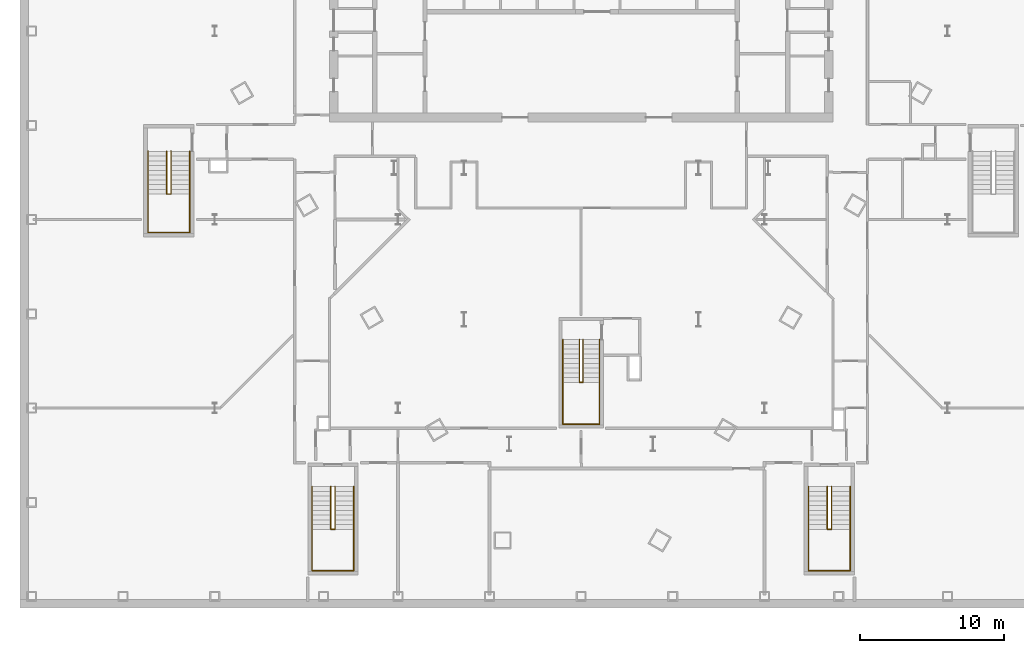
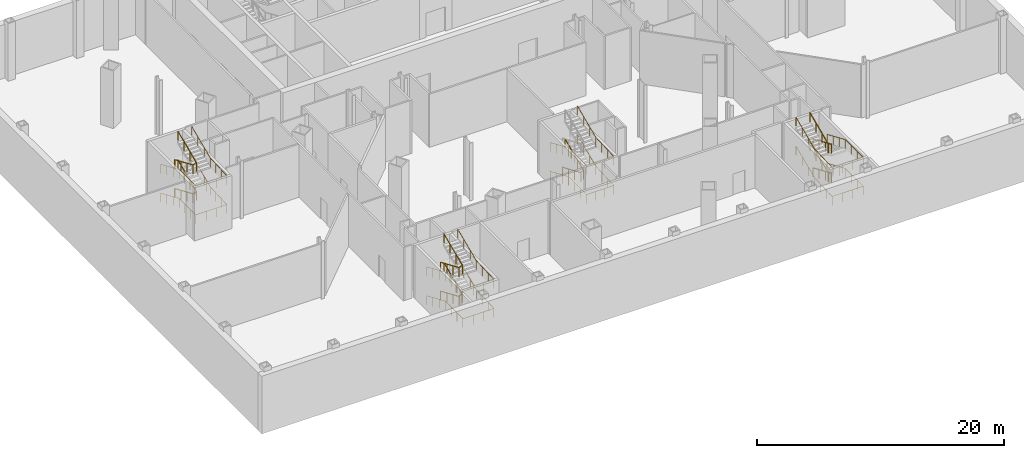
# One storey, part 16 of 17: 15 railings.
"""IFC4 building model written with IfcOpenShell, lengths in metres."""

from ifc_helpers import new_model, si_unit, direction, frame, origin, origin_2d, place, context, subcontext, project, spatial, circle, extrude, material, type_object, element, save


model = new_model("IFC4")

# Units and contexts
model_context = context("Model", 3, precision=1e-05, world=origin(), true_north=direction((0.0, 1.0)))
body_context = subcontext(model_context, "Body", "Model", "MODEL_VIEW")
ifc_project = project(units=[si_unit("LENGTHUNIT", "METRE"), si_unit("AREAUNIT", "SQUARE_METRE"), si_unit("VOLUMEUNIT", "CUBIC_METRE"), si_unit("PLANEANGLEUNIT", "RADIAN"), si_unit("MASSUNIT", "GRAM", prefix="KILO")], contexts=[model_context])

# Site, building, storey
site_placement = place(None, origin())
site = spatial("IfcSite", under=ifc_project, at=site_placement, CompositionType="ELEMENT")
building_placement = place(site_placement, origin())
building = spatial("IfcBuilding", under=site, at=building_placement, Name="Njiva Tower", CompositionType="ELEMENT")
storey_placement = place(building_placement, frame((0.0, 0.0, -11.4)))
storey = spatial("IfcBuildingStorey", under=building, at=storey_placement, Name="B2", CompositionType="ELEMENT", Elevation=-11.4)

# Railings
ifc_material = material(Name="Stainless steel", Category="steel")
railing_type = type_object("IfcRailingType", Name="RL1 Stair handrail 900", PredefinedType="HANDRAIL", material=ifc_material)
railing_1_placement = place(storey_placement, frame((-1.275, -15.135, 0.1425)))
element("IfcRailing", 1, at=railing_1_placement, inside=storey, type_object=railing_type, Name="Stair C handrail", PredefinedType="HANDRAIL", context=body_context, shape_type="SweptSolid", body=[
    extrude(circle(Radius=0.024, at=origin_2d()), frame((0.0, 0.0, 0.876), z_axis=(0.0, -0.918062353536, 0.3964360163), x_axis=(1.0, 0.0, 0.0)), (0.0, 0.0, 1.0), 3.2351),
    extrude(circle(Radius=0.024, at=origin_2d()), frame((0.0, -2.97, 2.1585), z_axis=(0.0, -1.0, 0.0), x_axis=(1.0, 0.0, 0.0)), (0.0, 0.0, 1.0), 2.92),
    extrude(circle(Radius=0.024, at=origin_2d()), frame((0.0, -5.89, 2.1585), z_axis=(1.0, 0.0, 0.0), x_axis=(0.0, 1.0, 0.0)), (0.0, 0.0, 1.0), 2.55),
    extrude(circle(Radius=0.024, at=origin_2d()), frame((2.55, -5.89, 2.1585), z_axis=(0.0, 0.998811335897, 0.048743361426), x_axis=(-1.0, 0.0, 0.0)), (0.0, 0.0, 1.0), 2.9235),
    extrude(circle(Radius=0.024, at=origin_2d()), frame((2.55, -2.97, 2.301), z_axis=(0.0, 0.918062353536, 0.3964360163), x_axis=(-1.0, 0.0, 0.0)), (0.0, 0.0, 1.0), 3.2351),
    extrude(circle(Radius=0.021, at=origin_2d()), origin(), (0.0, 0.0, 1.0), 0.852),
    extrude(circle(Radius=0.021, at=origin_2d()), frame((0.0, -0.99, 0.4275)), (0.0, 0.0, 1.0), 0.852),
    extrude(circle(Radius=0.021, at=origin_2d()), frame((0.0, -1.98, 0.855)), (0.0, 0.0, 1.0), 0.852),
    extrude(circle(Radius=0.021, at=origin_2d()), frame((0.0, -2.97, 1.2825)), (0.0, 0.0, 1.0), 0.852),
    extrude(circle(Radius=0.021, at=origin_2d()), frame((0.0, -3.9433, 1.2825)), (0.0, 0.0, 1.0), 0.852),
    extrude(circle(Radius=0.021, at=origin_2d()), frame((0.0, -4.9167, 1.2825)), (0.0, 0.0, 1.0), 0.852),
    extrude(circle(Radius=0.021, at=origin_2d()), frame((0.0, -5.89, 1.2825)), (0.0, 0.0, 1.0), 0.852),
    extrude(circle(Radius=0.021, at=origin_2d()), frame((0.85, -5.89, 1.2825)), (0.0, 0.0, 1.0), 0.852),
    extrude(circle(Radius=0.021, at=origin_2d()), frame((1.7, -5.89, 1.2825)), (0.0, 0.0, 1.0), 0.852),
    extrude(circle(Radius=0.021, at=origin_2d()), frame((2.55, -5.89, 1.2825)), (0.0, 0.0, 1.0), 0.852),
    extrude(circle(Radius=0.021, at=origin_2d()), frame((2.55, -4.9167, 1.33)), (0.0, 0.0, 1.0), 0.852),
    extrude(circle(Radius=0.021, at=origin_2d()), frame((2.55, -3.9433, 1.3775)), (0.0, 0.0, 1.0), 0.852),
    extrude(circle(Radius=0.021, at=origin_2d()), frame((2.55, -2.97, 1.425)), (0.0, 0.0, 1.0), 0.852),
    extrude(circle(Radius=0.021, at=origin_2d()), frame((2.55, -1.98, 1.8525)), (0.0, 0.0, 1.0), 0.852),
    extrude(circle(Radius=0.021, at=origin_2d()), frame((2.55, -0.99, 2.28)), (0.0, 0.0, 1.0), 0.852),
    extrude(circle(Radius=0.021, at=origin_2d()), frame((2.55, 0.0, 2.7075)), (0.0, 0.0, 1.0), 0.852),
])
railing_2_placement = place(storey_placement, frame((-0.125, -15.135, 0.1425)))
element("IfcRailing", 2, at=railing_2_placement, inside=storey, type_object=railing_type, Name="Stair C handrail", PredefinedType="HANDRAIL", context=body_context, shape_type="SweptSolid", body=[
    extrude(circle(Radius=0.024, at=origin_2d()), frame((0.0, 0.0, 0.876), z_axis=(0.0, -0.918062353536, 0.3964360163), x_axis=(1.0, 0.0, 0.0)), (0.0, 0.0, 1.0), 3.2351),
    extrude(circle(Radius=0.024, at=origin_2d()), frame((0.0, -2.97, 2.1585), z_axis=(0.868777270193, 0.0, 0.49520304401), x_axis=(0.0, 1.0, 0.0)), (0.0, 0.0, 1.0), 0.2878),
    extrude(circle(Radius=0.024, at=origin_2d()), frame((0.25, -2.97, 2.301), z_axis=(0.0, 0.918062353536, 0.3964360163), x_axis=(-1.0, 0.0, 0.0)), (0.0, 0.0, 1.0), 3.2351),
    extrude(circle(Radius=0.021, at=origin_2d()), origin(), (0.0, 0.0, 1.0), 0.852),
    extrude(circle(Radius=0.021, at=origin_2d()), frame((0.0, -0.99, 0.4275)), (0.0, 0.0, 1.0), 0.852),
    extrude(circle(Radius=0.021, at=origin_2d()), frame((0.0, -1.98, 0.855)), (0.0, 0.0, 1.0), 0.852),
    extrude(circle(Radius=0.021, at=origin_2d()), frame((0.0, -2.97, 1.2825)), (0.0, 0.0, 1.0), 0.852),
    extrude(circle(Radius=0.021, at=origin_2d()), frame((0.25, -2.97, 1.425)), (0.0, 0.0, 1.0), 0.852),
    extrude(circle(Radius=0.021, at=origin_2d()), frame((0.25, -1.98, 1.8525)), (0.0, 0.0, 1.0), 0.852),
    extrude(circle(Radius=0.021, at=origin_2d()), frame((0.25, -0.99, 2.28)), (0.0, 0.0, 1.0), 0.852),
    extrude(circle(Radius=0.021, at=origin_2d()), frame((0.25, 0.0, 2.7075)), (0.0, 0.0, 1.0), 0.852),
])
railing_3_placement = place(storey_placement, frame((-1.275, -15.135, 2.9925)))
element("IfcRailing", 3, at=railing_3_placement, inside=storey, type_object=railing_type, Name="Stair C handrail", PredefinedType="HANDRAIL", context=body_context, shape_type="SweptSolid", body=[
    extrude(circle(Radius=0.024, at=origin_2d()), frame((0.0, 0.0, 0.876), z_axis=(0.0, -0.918062353536, 0.3964360163), x_axis=(1.0, 0.0, 0.0)), (0.0, 0.0, 1.0), 3.2351),
    extrude(circle(Radius=0.024, at=origin_2d()), frame((0.0, -2.97, 2.1585), z_axis=(0.0, -1.0, 0.0), x_axis=(1.0, 0.0, 0.0)), (0.0, 0.0, 1.0), 2.92),
    extrude(circle(Radius=0.024, at=origin_2d()), frame((0.0, -5.89, 2.1585), z_axis=(1.0, 0.0, 0.0), x_axis=(0.0, 1.0, 0.0)), (0.0, 0.0, 1.0), 2.55),
    extrude(circle(Radius=0.024, at=origin_2d()), frame((2.55, -5.89, 2.1585), z_axis=(0.0, 0.998811335897, 0.048743361426), x_axis=(-1.0, 0.0, 0.0)), (0.0, 0.0, 1.0), 2.9235),
    extrude(circle(Radius=0.024, at=origin_2d()), frame((2.55, -2.97, 2.301), z_axis=(0.0, 0.918062353536, 0.3964360163), x_axis=(-1.0, 0.0, 0.0)), (0.0, 0.0, 1.0), 3.2351),
    extrude(circle(Radius=0.021, at=origin_2d()), origin(), (0.0, 0.0, 1.0), 0.852),
    extrude(circle(Radius=0.021, at=origin_2d()), frame((0.0, -0.99, 0.4275)), (0.0, 0.0, 1.0), 0.852),
    extrude(circle(Radius=0.021, at=origin_2d()), frame((0.0, -1.98, 0.855)), (0.0, 0.0, 1.0), 0.852),
    extrude(circle(Radius=0.021, at=origin_2d()), frame((0.0, -2.97, 1.2825)), (0.0, 0.0, 1.0), 0.852),
    extrude(circle(Radius=0.021, at=origin_2d()), frame((0.0, -3.9433, 1.2825)), (0.0, 0.0, 1.0), 0.852),
    extrude(circle(Radius=0.021, at=origin_2d()), frame((0.0, -4.9167, 1.2825)), (0.0, 0.0, 1.0), 0.852),
    extrude(circle(Radius=0.021, at=origin_2d()), frame((0.0, -5.89, 1.2825)), (0.0, 0.0, 1.0), 0.852),
    extrude(circle(Radius=0.021, at=origin_2d()), frame((0.85, -5.89, 1.2825)), (0.0, 0.0, 1.0), 0.852),
    extrude(circle(Radius=0.021, at=origin_2d()), frame((1.7, -5.89, 1.2825)), (0.0, 0.0, 1.0), 0.852),
    extrude(circle(Radius=0.021, at=origin_2d()), frame((2.55, -5.89, 1.2825)), (0.0, 0.0, 1.0), 0.852),
    extrude(circle(Radius=0.021, at=origin_2d()), frame((2.55, -4.9167, 1.33)), (0.0, 0.0, 1.0), 0.852),
    extrude(circle(Radius=0.021, at=origin_2d()), frame((2.55, -3.9433, 1.3775)), (0.0, 0.0, 1.0), 0.852),
    extrude(circle(Radius=0.021, at=origin_2d()), frame((2.55, -2.97, 1.425)), (0.0, 0.0, 1.0), 0.852),
    extrude(circle(Radius=0.021, at=origin_2d()), frame((2.55, -1.98, 1.8525)), (0.0, 0.0, 1.0), 0.852),
    extrude(circle(Radius=0.021, at=origin_2d()), frame((2.55, -0.99, 2.28)), (0.0, 0.0, 1.0), 0.852),
    extrude(circle(Radius=0.021, at=origin_2d()), frame((2.55, 0.0, 2.7075)), (0.0, 0.0, 1.0), 0.852),
])
railing_4_placement = place(storey_placement, frame((-18.7, -25.35, 0.1425)))
element("IfcRailing", 4, at=railing_4_placement, inside=storey, type_object=railing_type, Name="Stair D handrail", PredefinedType="HANDRAIL", context=body_context, shape_type="SweptSolid", body=[
    extrude(circle(Radius=0.024, at=origin_2d()), frame((0.0, 0.0, 0.876), z_axis=(0.0, -0.918062353536, 0.3964360163), x_axis=(1.0, 0.0, 0.0)), (0.0, 0.0, 1.0), 3.2351),
    extrude(circle(Radius=0.024, at=origin_2d()), frame((0.0, -2.97, 2.1585), z_axis=(0.0, -1.0, 0.0), x_axis=(1.0, 0.0, 0.0)), (0.0, 0.0, 1.0), 2.88),
    extrude(circle(Radius=0.024, at=origin_2d()), frame((0.0, -5.85, 2.1585), z_axis=(1.0, 0.0, 0.0), x_axis=(0.0, 1.0, 0.0)), (0.0, 0.0, 1.0), 2.9),
    extrude(circle(Radius=0.024, at=origin_2d()), frame((2.9, -5.85, 2.1585), z_axis=(0.0, 0.998778149066, 0.049418710501), x_axis=(-1.0, 0.0, 0.0)), (0.0, 0.0, 1.0), 2.8835),
    extrude(circle(Radius=0.024, at=origin_2d()), frame((2.9, -2.97, 2.301), z_axis=(0.0, 0.918062353536, 0.3964360163), x_axis=(-1.0, 0.0, 0.0)), (0.0, 0.0, 1.0), 3.2351),
    extrude(circle(Radius=0.021, at=origin_2d()), origin(), (0.0, 0.0, 1.0), 0.852),
    extrude(circle(Radius=0.021, at=origin_2d()), frame((0.0, -0.99, 0.4275)), (0.0, 0.0, 1.0), 0.852),
    extrude(circle(Radius=0.021, at=origin_2d()), frame((0.0, -1.98, 0.855)), (0.0, 0.0, 1.0), 0.852),
    extrude(circle(Radius=0.021, at=origin_2d()), frame((0.0, -2.97, 1.2825)), (0.0, 0.0, 1.0), 0.852),
    extrude(circle(Radius=0.021, at=origin_2d()), frame((0.0, -3.93, 1.2825)), (0.0, 0.0, 1.0), 0.852),
    extrude(circle(Radius=0.021, at=origin_2d()), frame((0.0, -4.89, 1.2825)), (0.0, 0.0, 1.0), 0.852),
    extrude(circle(Radius=0.021, at=origin_2d()), frame((0.0, -5.85, 1.2825)), (0.0, 0.0, 1.0), 0.852),
    extrude(circle(Radius=0.021, at=origin_2d()), frame((0.9667, -5.85, 1.2825)), (0.0, 0.0, 1.0), 0.852),
    extrude(circle(Radius=0.021, at=origin_2d()), frame((1.9333, -5.85, 1.2825)), (0.0, 0.0, 1.0), 0.852),
    extrude(circle(Radius=0.021, at=origin_2d()), frame((2.9, -5.85, 1.2825)), (0.0, 0.0, 1.0), 0.852),
    extrude(circle(Radius=0.021, at=origin_2d()), frame((2.9, -4.89, 1.33)), (0.0, 0.0, 1.0), 0.852),
    extrude(circle(Radius=0.021, at=origin_2d()), frame((2.9, -3.93, 1.3775)), (0.0, 0.0, 1.0), 0.852),
    extrude(circle(Radius=0.021, at=origin_2d()), frame((2.9, -2.97, 1.425)), (0.0, 0.0, 1.0), 0.852),
    extrude(circle(Radius=0.021, at=origin_2d()), frame((2.9, -1.98, 1.8525)), (0.0, 0.0, 1.0), 0.852),
    extrude(circle(Radius=0.021, at=origin_2d()), frame((2.9, -0.99, 2.28)), (0.0, 0.0, 1.0), 0.852),
    extrude(circle(Radius=0.021, at=origin_2d()), frame((2.9, 0.0, 2.7075)), (0.0, 0.0, 1.0), 0.852),
])
railing_5_placement = place(storey_placement, frame((-17.4, -25.35, 0.1425)))
element("IfcRailing", 5, at=railing_5_placement, inside=storey, type_object=railing_type, Name="Stair D handrail", PredefinedType="HANDRAIL", context=body_context, shape_type="SweptSolid", body=[
    extrude(circle(Radius=0.024, at=origin_2d()), frame((0.0, 0.0, 0.876), z_axis=(0.0, -0.918062353536, 0.3964360163), x_axis=(1.0, 0.0, 0.0)), (0.0, 0.0, 1.0), 3.2351),
    extrude(circle(Radius=0.024, at=origin_2d()), frame((0.0, -2.97, 2.1585), z_axis=(0.903277504354, 0.0, 0.429056814568), x_axis=(0.0, 1.0, 0.0)), (0.0, 0.0, 1.0), 0.3321),
    extrude(circle(Radius=0.024, at=origin_2d()), frame((0.3, -2.97, 2.301), z_axis=(0.0, 0.918062353536, 0.3964360163), x_axis=(-1.0, 0.0, 0.0)), (0.0, 0.0, 1.0), 3.2351),
    extrude(circle(Radius=0.021, at=origin_2d()), origin(), (0.0, 0.0, 1.0), 0.852),
    extrude(circle(Radius=0.021, at=origin_2d()), frame((0.0, -0.99, 0.4275)), (0.0, 0.0, 1.0), 0.852),
    extrude(circle(Radius=0.021, at=origin_2d()), frame((0.0, -1.98, 0.855)), (0.0, 0.0, 1.0), 0.852),
    extrude(circle(Radius=0.021, at=origin_2d()), frame((0.0, -2.97, 1.2825)), (0.0, 0.0, 1.0), 0.852),
    extrude(circle(Radius=0.021, at=origin_2d()), frame((0.3, -2.97, 1.425)), (0.0, 0.0, 1.0), 0.852),
    extrude(circle(Radius=0.021, at=origin_2d()), frame((0.3, -1.98, 1.8525)), (0.0, 0.0, 1.0), 0.852),
    extrude(circle(Radius=0.021, at=origin_2d()), frame((0.3, -0.99, 2.28)), (0.0, 0.0, 1.0), 0.852),
    extrude(circle(Radius=0.021, at=origin_2d()), frame((0.3, 0.0, 2.7075)), (0.0, 0.0, 1.0), 0.852),
])
railing_6_placement = place(storey_placement, frame((-18.7, -25.35, 2.9925)))
element("IfcRailing", 6, at=railing_6_placement, inside=storey, type_object=railing_type, Name="Stair D handrail", PredefinedType="HANDRAIL", context=body_context, shape_type="SweptSolid", body=[
    extrude(circle(Radius=0.024, at=origin_2d()), frame((0.0, 0.0, 0.876), z_axis=(0.0, -0.918062353536, 0.3964360163), x_axis=(1.0, 0.0, 0.0)), (0.0, 0.0, 1.0), 3.2351),
    extrude(circle(Radius=0.024, at=origin_2d()), frame((0.0, -2.97, 2.1585), z_axis=(0.0, -1.0, 0.0), x_axis=(1.0, 0.0, 0.0)), (0.0, 0.0, 1.0), 2.88),
    extrude(circle(Radius=0.024, at=origin_2d()), frame((0.0, -5.85, 2.1585), z_axis=(1.0, 0.0, 0.0), x_axis=(0.0, 1.0, 0.0)), (0.0, 0.0, 1.0), 2.9),
    extrude(circle(Radius=0.024, at=origin_2d()), frame((2.9, -5.85, 2.1585), z_axis=(0.0, 0.998778149066, 0.049418710501), x_axis=(-1.0, 0.0, 0.0)), (0.0, 0.0, 1.0), 2.8835),
    extrude(circle(Radius=0.024, at=origin_2d()), frame((2.9, -2.97, 2.301), z_axis=(0.0, 0.918062353536, 0.3964360163), x_axis=(-1.0, 0.0, 0.0)), (0.0, 0.0, 1.0), 3.2351),
    extrude(circle(Radius=0.021, at=origin_2d()), origin(), (0.0, 0.0, 1.0), 0.852),
    extrude(circle(Radius=0.021, at=origin_2d()), frame((0.0, -0.99, 0.4275)), (0.0, 0.0, 1.0), 0.852),
    extrude(circle(Radius=0.021, at=origin_2d()), frame((0.0, -1.98, 0.855)), (0.0, 0.0, 1.0), 0.852),
    extrude(circle(Radius=0.021, at=origin_2d()), frame((0.0, -2.97, 1.2825)), (0.0, 0.0, 1.0), 0.852),
    extrude(circle(Radius=0.021, at=origin_2d()), frame((0.0, -3.93, 1.2825)), (0.0, 0.0, 1.0), 0.852),
    extrude(circle(Radius=0.021, at=origin_2d()), frame((0.0, -4.89, 1.2825)), (0.0, 0.0, 1.0), 0.852),
    extrude(circle(Radius=0.021, at=origin_2d()), frame((0.0, -5.85, 1.2825)), (0.0, 0.0, 1.0), 0.852),
    extrude(circle(Radius=0.021, at=origin_2d()), frame((0.9667, -5.85, 1.2825)), (0.0, 0.0, 1.0), 0.852),
    extrude(circle(Radius=0.021, at=origin_2d()), frame((1.9333, -5.85, 1.2825)), (0.0, 0.0, 1.0), 0.852),
    extrude(circle(Radius=0.021, at=origin_2d()), frame((2.9, -5.85, 1.2825)), (0.0, 0.0, 1.0), 0.852),
    extrude(circle(Radius=0.021, at=origin_2d()), frame((2.9, -4.89, 1.33)), (0.0, 0.0, 1.0), 0.852),
    extrude(circle(Radius=0.021, at=origin_2d()), frame((2.9, -3.93, 1.3775)), (0.0, 0.0, 1.0), 0.852),
    extrude(circle(Radius=0.021, at=origin_2d()), frame((2.9, -2.97, 1.425)), (0.0, 0.0, 1.0), 0.852),
    extrude(circle(Radius=0.021, at=origin_2d()), frame((2.9, -1.98, 1.8525)), (0.0, 0.0, 1.0), 0.852),
    extrude(circle(Radius=0.021, at=origin_2d()), frame((2.9, -0.99, 2.28)), (0.0, 0.0, 1.0), 0.852),
    extrude(circle(Radius=0.021, at=origin_2d()), frame((2.9, 0.0, 2.7075)), (0.0, 0.0, 1.0), 0.852),
])
railing_7_placement = place(storey_placement, frame((-17.4, -25.35, 2.9925)))
element("IfcRailing", 7, at=railing_7_placement, inside=storey, type_object=railing_type, Name="Stair D handrail", PredefinedType="HANDRAIL", context=body_context, shape_type="SweptSolid", body=[
    extrude(circle(Radius=0.024, at=origin_2d()), frame((0.0, 0.0, 0.876), z_axis=(0.0, -0.918062353536, 0.3964360163), x_axis=(1.0, 0.0, 0.0)), (0.0, 0.0, 1.0), 3.2351),
    extrude(circle(Radius=0.024, at=origin_2d()), frame((0.0, -2.97, 2.1585), z_axis=(0.903277504354, 0.0, 0.429056814568), x_axis=(0.0, 1.0, 0.0)), (0.0, 0.0, 1.0), 0.3321),
    extrude(circle(Radius=0.024, at=origin_2d()), frame((0.3, -2.97, 2.301), z_axis=(0.0, 0.918062353536, 0.3964360163), x_axis=(-1.0, 0.0, 0.0)), (0.0, 0.0, 1.0), 3.2351),
    extrude(circle(Radius=0.021, at=origin_2d()), origin(), (0.0, 0.0, 1.0), 0.852),
    extrude(circle(Radius=0.021, at=origin_2d()), frame((0.0, -0.99, 0.4275)), (0.0, 0.0, 1.0), 0.852),
    extrude(circle(Radius=0.021, at=origin_2d()), frame((0.0, -1.98, 0.855)), (0.0, 0.0, 1.0), 0.852),
    extrude(circle(Radius=0.021, at=origin_2d()), frame((0.0, -2.97, 1.2825)), (0.0, 0.0, 1.0), 0.852),
    extrude(circle(Radius=0.021, at=origin_2d()), frame((0.3, -2.97, 1.425)), (0.0, 0.0, 1.0), 0.852),
    extrude(circle(Radius=0.021, at=origin_2d()), frame((0.3, -1.98, 1.8525)), (0.0, 0.0, 1.0), 0.852),
    extrude(circle(Radius=0.021, at=origin_2d()), frame((0.3, -0.99, 2.28)), (0.0, 0.0, 1.0), 0.852),
    extrude(circle(Radius=0.021, at=origin_2d()), frame((0.3, 0.0, 2.7075)), (0.0, 0.0, 1.0), 0.852),
])
railing_8_placement = place(storey_placement, frame((18.7, -25.35, 0.1425)))
element("IfcRailing", 8, at=railing_8_placement, inside=storey, type_object=railing_type, Name="Stair E handrail", PredefinedType="HANDRAIL", context=body_context, shape_type="SweptSolid", body=[
    extrude(circle(Radius=0.024, at=origin_2d()), frame((0.0, 0.0, 0.876), z_axis=(0.0, -0.918062353536, 0.3964360163), x_axis=(1.0, 0.0, 0.0)), (0.0, 0.0, 1.0), 3.2351),
    extrude(circle(Radius=0.024, at=origin_2d()), frame((0.0, -2.97, 2.1585), z_axis=(0.0, -1.0, 0.0), x_axis=(1.0, 0.0, 0.0)), (0.0, 0.0, 1.0), 2.88),
    extrude(circle(Radius=0.024, at=origin_2d()), frame((0.0, -5.85, 2.1585), z_axis=(-1.0, 0.0, 0.0), x_axis=(0.0, -1.0, 0.0)), (0.0, 0.0, 1.0), 2.9),
    extrude(circle(Radius=0.024, at=origin_2d()), frame((-2.9, -5.85, 2.1585), z_axis=(0.0, 0.998778149066, 0.049418710501), x_axis=(-1.0, 0.0, 0.0)), (0.0, 0.0, 1.0), 2.8835),
    extrude(circle(Radius=0.024, at=origin_2d()), frame((-2.9, -2.97, 2.301), z_axis=(0.0, 0.918062353536, 0.3964360163), x_axis=(-1.0, 0.0, 0.0)), (0.0, 0.0, 1.0), 3.2351),
    extrude(circle(Radius=0.021, at=origin_2d()), origin(), (0.0, 0.0, 1.0), 0.852),
    extrude(circle(Radius=0.021, at=origin_2d()), frame((0.0, -0.99, 0.4275)), (0.0, 0.0, 1.0), 0.852),
    extrude(circle(Radius=0.021, at=origin_2d()), frame((0.0, -1.98, 0.855)), (0.0, 0.0, 1.0), 0.852),
    extrude(circle(Radius=0.021, at=origin_2d()), frame((0.0, -2.97, 1.2825)), (0.0, 0.0, 1.0), 0.852),
    extrude(circle(Radius=0.021, at=origin_2d()), frame((0.0, -3.93, 1.2825)), (0.0, 0.0, 1.0), 0.852),
    extrude(circle(Radius=0.021, at=origin_2d()), frame((0.0, -4.89, 1.2825)), (0.0, 0.0, 1.0), 0.852),
    extrude(circle(Radius=0.021, at=origin_2d()), frame((0.0, -5.85, 1.2825)), (0.0, 0.0, 1.0), 0.852),
    extrude(circle(Radius=0.021, at=origin_2d()), frame((-0.9667, -5.85, 1.2825)), (0.0, 0.0, 1.0), 0.852),
    extrude(circle(Radius=0.021, at=origin_2d()), frame((-1.9333, -5.85, 1.2825)), (0.0, 0.0, 1.0), 0.852),
    extrude(circle(Radius=0.021, at=origin_2d()), frame((-2.9, -5.85, 1.2825)), (0.0, 0.0, 1.0), 0.852),
    extrude(circle(Radius=0.021, at=origin_2d()), frame((-2.9, -4.89, 1.33)), (0.0, 0.0, 1.0), 0.852),
    extrude(circle(Radius=0.021, at=origin_2d()), frame((-2.9, -3.93, 1.3775)), (0.0, 0.0, 1.0), 0.852),
    extrude(circle(Radius=0.021, at=origin_2d()), frame((-2.9, -2.97, 1.425)), (0.0, 0.0, 1.0), 0.852),
    extrude(circle(Radius=0.021, at=origin_2d()), frame((-2.9, -1.98, 1.8525)), (0.0, 0.0, 1.0), 0.852),
    extrude(circle(Radius=0.021, at=origin_2d()), frame((-2.9, -0.99, 2.28)), (0.0, 0.0, 1.0), 0.852),
    extrude(circle(Radius=0.021, at=origin_2d()), frame((-2.9, 0.0, 2.7075)), (0.0, 0.0, 1.0), 0.852),
])
railing_9_placement = place(storey_placement, frame((17.4, -25.35, 0.1425)))
element("IfcRailing", 9, at=railing_9_placement, inside=storey, type_object=railing_type, Name="Stair E handrail", PredefinedType="HANDRAIL", context=body_context, shape_type="SweptSolid", body=[
    extrude(circle(Radius=0.024, at=origin_2d()), frame((0.0, 0.0, 0.876), z_axis=(0.0, -0.918062353536, 0.3964360163), x_axis=(1.0, 0.0, 0.0)), (0.0, 0.0, 1.0), 3.2351),
    extrude(circle(Radius=0.024, at=origin_2d()), frame((0.0, -2.97, 2.1585), z_axis=(-0.903277504354, 0.0, 0.429056814568), x_axis=(0.0, -1.0, 0.0)), (0.0, 0.0, 1.0), 0.3321),
    extrude(circle(Radius=0.024, at=origin_2d()), frame((-0.3, -2.97, 2.301), z_axis=(0.0, 0.918062353536, 0.3964360163), x_axis=(-1.0, 0.0, 0.0)), (0.0, 0.0, 1.0), 3.2351),
    extrude(circle(Radius=0.021, at=origin_2d()), origin(), (0.0, 0.0, 1.0), 0.852),
    extrude(circle(Radius=0.021, at=origin_2d()), frame((0.0, -0.99, 0.4275)), (0.0, 0.0, 1.0), 0.852),
    extrude(circle(Radius=0.021, at=origin_2d()), frame((0.0, -1.98, 0.855)), (0.0, 0.0, 1.0), 0.852),
    extrude(circle(Radius=0.021, at=origin_2d()), frame((0.0, -2.97, 1.2825)), (0.0, 0.0, 1.0), 0.852),
    extrude(circle(Radius=0.021, at=origin_2d()), frame((-0.3, -2.97, 1.425)), (0.0, 0.0, 1.0), 0.852),
    extrude(circle(Radius=0.021, at=origin_2d()), frame((-0.3, -1.98, 1.8525)), (0.0, 0.0, 1.0), 0.852),
    extrude(circle(Radius=0.021, at=origin_2d()), frame((-0.3, -0.99, 2.28)), (0.0, 0.0, 1.0), 0.852),
    extrude(circle(Radius=0.021, at=origin_2d()), frame((-0.3, 0.0, 2.7075)), (0.0, 0.0, 1.0), 0.852),
])
railing_10_placement = place(storey_placement, frame((18.7, -25.35, 2.9925)))
element("IfcRailing", 10, at=railing_10_placement, inside=storey, type_object=railing_type, Name="Stair E handrail", PredefinedType="HANDRAIL", context=body_context, shape_type="SweptSolid", body=[
    extrude(circle(Radius=0.024, at=origin_2d()), frame((0.0, 0.0, 0.876), z_axis=(0.0, -0.918062353536, 0.3964360163), x_axis=(1.0, 0.0, 0.0)), (0.0, 0.0, 1.0), 3.2351),
    extrude(circle(Radius=0.024, at=origin_2d()), frame((0.0, -2.97, 2.1585), z_axis=(0.0, -1.0, 0.0), x_axis=(1.0, 0.0, 0.0)), (0.0, 0.0, 1.0), 2.88),
    extrude(circle(Radius=0.024, at=origin_2d()), frame((0.0, -5.85, 2.1585), z_axis=(-1.0, 0.0, 0.0), x_axis=(0.0, -1.0, 0.0)), (0.0, 0.0, 1.0), 2.9),
    extrude(circle(Radius=0.024, at=origin_2d()), frame((-2.9, -5.85, 2.1585), z_axis=(0.0, 0.998778149066, 0.049418710501), x_axis=(-1.0, 0.0, 0.0)), (0.0, 0.0, 1.0), 2.8835),
    extrude(circle(Radius=0.024, at=origin_2d()), frame((-2.9, -2.97, 2.301), z_axis=(0.0, 0.918062353536, 0.3964360163), x_axis=(-1.0, 0.0, 0.0)), (0.0, 0.0, 1.0), 3.2351),
    extrude(circle(Radius=0.021, at=origin_2d()), origin(), (0.0, 0.0, 1.0), 0.852),
    extrude(circle(Radius=0.021, at=origin_2d()), frame((0.0, -0.99, 0.4275)), (0.0, 0.0, 1.0), 0.852),
    extrude(circle(Radius=0.021, at=origin_2d()), frame((0.0, -1.98, 0.855)), (0.0, 0.0, 1.0), 0.852),
    extrude(circle(Radius=0.021, at=origin_2d()), frame((0.0, -2.97, 1.2825)), (0.0, 0.0, 1.0), 0.852),
    extrude(circle(Radius=0.021, at=origin_2d()), frame((0.0, -3.93, 1.2825)), (0.0, 0.0, 1.0), 0.852),
    extrude(circle(Radius=0.021, at=origin_2d()), frame((0.0, -4.89, 1.2825)), (0.0, 0.0, 1.0), 0.852),
    extrude(circle(Radius=0.021, at=origin_2d()), frame((0.0, -5.85, 1.2825)), (0.0, 0.0, 1.0), 0.852),
    extrude(circle(Radius=0.021, at=origin_2d()), frame((-0.9667, -5.85, 1.2825)), (0.0, 0.0, 1.0), 0.852),
    extrude(circle(Radius=0.021, at=origin_2d()), frame((-1.9333, -5.85, 1.2825)), (0.0, 0.0, 1.0), 0.852),
    extrude(circle(Radius=0.021, at=origin_2d()), frame((-2.9, -5.85, 1.2825)), (0.0, 0.0, 1.0), 0.852),
    extrude(circle(Radius=0.021, at=origin_2d()), frame((-2.9, -4.89, 1.33)), (0.0, 0.0, 1.0), 0.852),
    extrude(circle(Radius=0.021, at=origin_2d()), frame((-2.9, -3.93, 1.3775)), (0.0, 0.0, 1.0), 0.852),
    extrude(circle(Radius=0.021, at=origin_2d()), frame((-2.9, -2.97, 1.425)), (0.0, 0.0, 1.0), 0.852),
    extrude(circle(Radius=0.021, at=origin_2d()), frame((-2.9, -1.98, 1.8525)), (0.0, 0.0, 1.0), 0.852),
    extrude(circle(Radius=0.021, at=origin_2d()), frame((-2.9, -0.99, 2.28)), (0.0, 0.0, 1.0), 0.852),
    extrude(circle(Radius=0.021, at=origin_2d()), frame((-2.9, 0.0, 2.7075)), (0.0, 0.0, 1.0), 0.852),
])
railing_11_placement = place(storey_placement, frame((17.4, -25.35, 2.9925)))
element("IfcRailing", 11, at=railing_11_placement, inside=storey, type_object=railing_type, Name="Stair E handrail", PredefinedType="HANDRAIL", context=body_context, shape_type="SweptSolid", body=[
    extrude(circle(Radius=0.024, at=origin_2d()), frame((0.0, 0.0, 0.876), z_axis=(0.0, -0.918062353536, 0.3964360163), x_axis=(1.0, 0.0, 0.0)), (0.0, 0.0, 1.0), 3.2351),
    extrude(circle(Radius=0.024, at=origin_2d()), frame((0.0, -2.97, 2.1585), z_axis=(-0.903277504354, 0.0, 0.429056814568), x_axis=(0.0, -1.0, 0.0)), (0.0, 0.0, 1.0), 0.3321),
    extrude(circle(Radius=0.024, at=origin_2d()), frame((-0.3, -2.97, 2.301), z_axis=(0.0, 0.918062353536, 0.3964360163), x_axis=(-1.0, 0.0, 0.0)), (0.0, 0.0, 1.0), 3.2351),
    extrude(circle(Radius=0.021, at=origin_2d()), origin(), (0.0, 0.0, 1.0), 0.852),
    extrude(circle(Radius=0.021, at=origin_2d()), frame((0.0, -0.99, 0.4275)), (0.0, 0.0, 1.0), 0.852),
    extrude(circle(Radius=0.021, at=origin_2d()), frame((0.0, -1.98, 0.855)), (0.0, 0.0, 1.0), 0.852),
    extrude(circle(Radius=0.021, at=origin_2d()), frame((0.0, -2.97, 1.2825)), (0.0, 0.0, 1.0), 0.852),
    extrude(circle(Radius=0.021, at=origin_2d()), frame((-0.3, -2.97, 1.425)), (0.0, 0.0, 1.0), 0.852),
    extrude(circle(Radius=0.021, at=origin_2d()), frame((-0.3, -1.98, 1.8525)), (0.0, 0.0, 1.0), 0.852),
    extrude(circle(Radius=0.021, at=origin_2d()), frame((-0.3, -0.99, 2.28)), (0.0, 0.0, 1.0), 0.852),
    extrude(circle(Radius=0.021, at=origin_2d()), frame((-0.3, 0.0, 2.7075)), (0.0, 0.0, 1.0), 0.852),
])
railing_12_placement = place(storey_placement, frame((-30.1, -2.05, 0.1425)))
element("IfcRailing", 12, at=railing_12_placement, inside=storey, type_object=railing_type, Name="Stair F handrail", PredefinedType="HANDRAIL", context=body_context, shape_type="SweptSolid", body=[
    extrude(circle(Radius=0.024, at=origin_2d()), frame((0.0, 0.0, 0.876), z_axis=(0.0, -0.918062353536, 0.3964360163), x_axis=(1.0, 0.0, 0.0)), (0.0, 0.0, 1.0), 3.2351),
    extrude(circle(Radius=0.024, at=origin_2d()), frame((0.0, -2.97, 2.1585), z_axis=(0.0, -1.0, 0.0), x_axis=(1.0, 0.0, 0.0)), (0.0, 0.0, 1.0), 2.68),
    extrude(circle(Radius=0.024, at=origin_2d()), frame((0.0, -5.65, 2.1585), z_axis=(1.0, 0.0, 0.0), x_axis=(0.0, 1.0, 0.0)), (0.0, 0.0, 1.0), 2.9),
    extrude(circle(Radius=0.024, at=origin_2d()), frame((2.9, -5.65, 2.1585), z_axis=(0.0, 0.998589378657, 0.053096636738), x_axis=(-1.0, 0.0, 0.0)), (0.0, 0.0, 1.0), 2.6838),
    extrude(circle(Radius=0.024, at=origin_2d()), frame((2.9, -2.97, 2.301), z_axis=(0.0, 0.918062353536, 0.3964360163), x_axis=(-1.0, 0.0, 0.0)), (0.0, 0.0, 1.0), 3.2351),
    extrude(circle(Radius=0.021, at=origin_2d()), origin(), (0.0, 0.0, 1.0), 0.852),
    extrude(circle(Radius=0.021, at=origin_2d()), frame((0.0, -0.99, 0.4275)), (0.0, 0.0, 1.0), 0.852),
    extrude(circle(Radius=0.021, at=origin_2d()), frame((0.0, -1.98, 0.855)), (0.0, 0.0, 1.0), 0.852),
    extrude(circle(Radius=0.021, at=origin_2d()), frame((0.0, -2.97, 1.2825)), (0.0, 0.0, 1.0), 0.852),
    extrude(circle(Radius=0.021, at=origin_2d()), frame((0.0, -3.8633, 1.2825)), (0.0, 0.0, 1.0), 0.852),
    extrude(circle(Radius=0.021, at=origin_2d()), frame((0.0, -4.7567, 1.2825)), (0.0, 0.0, 1.0), 0.852),
    extrude(circle(Radius=0.021, at=origin_2d()), frame((0.0, -5.65, 1.2825)), (0.0, 0.0, 1.0), 0.852),
    extrude(circle(Radius=0.021, at=origin_2d()), frame((0.9667, -5.65, 1.2825)), (0.0, 0.0, 1.0), 0.852),
    extrude(circle(Radius=0.021, at=origin_2d()), frame((1.9333, -5.65, 1.2825)), (0.0, 0.0, 1.0), 0.852),
    extrude(circle(Radius=0.021, at=origin_2d()), frame((2.9, -5.65, 1.2825)), (0.0, 0.0, 1.0), 0.852),
    extrude(circle(Radius=0.021, at=origin_2d()), frame((2.9, -4.7567, 1.33)), (0.0, 0.0, 1.0), 0.852),
    extrude(circle(Radius=0.021, at=origin_2d()), frame((2.9, -3.8633, 1.3775)), (0.0, 0.0, 1.0), 0.852),
    extrude(circle(Radius=0.021, at=origin_2d()), frame((2.9, -2.97, 1.425)), (0.0, 0.0, 1.0), 0.852),
    extrude(circle(Radius=0.021, at=origin_2d()), frame((2.9, -1.98, 1.8525)), (0.0, 0.0, 1.0), 0.852),
    extrude(circle(Radius=0.021, at=origin_2d()), frame((2.9, -0.99, 2.28)), (0.0, 0.0, 1.0), 0.852),
    extrude(circle(Radius=0.021, at=origin_2d()), frame((2.9, 0.0, 2.7075)), (0.0, 0.0, 1.0), 0.852),
])
railing_13_placement = place(storey_placement, frame((-28.8, -2.05, 0.1425)))
element("IfcRailing", 13, at=railing_13_placement, inside=storey, type_object=railing_type, Name="Stair F handrail", PredefinedType="HANDRAIL", context=body_context, shape_type="SweptSolid", body=[
    extrude(circle(Radius=0.024, at=origin_2d()), frame((0.0, 0.0, 0.876), z_axis=(0.0, -0.918062353536, 0.3964360163), x_axis=(1.0, 0.0, 0.0)), (0.0, 0.0, 1.0), 3.2351),
    extrude(circle(Radius=0.024, at=origin_2d()), frame((0.0, -2.97, 2.1585), z_axis=(0.903277504354, 0.0, 0.429056814568), x_axis=(0.0, 1.0, 0.0)), (0.0, 0.0, 1.0), 0.3321),
    extrude(circle(Radius=0.024, at=origin_2d()), frame((0.3, -2.97, 2.301), z_axis=(0.0, 0.918062353536, 0.3964360163), x_axis=(-1.0, 0.0, 0.0)), (0.0, 0.0, 1.0), 3.2351),
    extrude(circle(Radius=0.021, at=origin_2d()), origin(), (0.0, 0.0, 1.0), 0.852),
    extrude(circle(Radius=0.021, at=origin_2d()), frame((0.0, -0.99, 0.4275)), (0.0, 0.0, 1.0), 0.852),
    extrude(circle(Radius=0.021, at=origin_2d()), frame((0.0, -1.98, 0.855)), (0.0, 0.0, 1.0), 0.852),
    extrude(circle(Radius=0.021, at=origin_2d()), frame((0.0, -2.97, 1.2825)), (0.0, 0.0, 1.0), 0.852),
    extrude(circle(Radius=0.021, at=origin_2d()), frame((0.3, -2.97, 1.425)), (0.0, 0.0, 1.0), 0.852),
    extrude(circle(Radius=0.021, at=origin_2d()), frame((0.3, -1.98, 1.8525)), (0.0, 0.0, 1.0), 0.852),
    extrude(circle(Radius=0.021, at=origin_2d()), frame((0.3, -0.99, 2.28)), (0.0, 0.0, 1.0), 0.852),
    extrude(circle(Radius=0.021, at=origin_2d()), frame((0.3, 0.0, 2.7075)), (0.0, 0.0, 1.0), 0.852),
])
railing_14_placement = place(storey_placement, frame((-30.1, -2.05, 2.9925)))
element("IfcRailing", 14, at=railing_14_placement, inside=storey, type_object=railing_type, Name="Stair F handrail", PredefinedType="HANDRAIL", context=body_context, shape_type="SweptSolid", body=[
    extrude(circle(Radius=0.024, at=origin_2d()), frame((0.0, 0.0, 0.876), z_axis=(0.0, -0.918062353536, 0.3964360163), x_axis=(1.0, 0.0, 0.0)), (0.0, 0.0, 1.0), 3.2351),
    extrude(circle(Radius=0.024, at=origin_2d()), frame((0.0, -2.97, 2.1585), z_axis=(0.0, -1.0, 0.0), x_axis=(1.0, 0.0, 0.0)), (0.0, 0.0, 1.0), 2.68),
    extrude(circle(Radius=0.024, at=origin_2d()), frame((0.0, -5.65, 2.1585), z_axis=(1.0, 0.0, 0.0), x_axis=(0.0, 1.0, 0.0)), (0.0, 0.0, 1.0), 2.9),
    extrude(circle(Radius=0.024, at=origin_2d()), frame((2.9, -5.65, 2.1585), z_axis=(0.0, 0.998589378657, 0.053096636738), x_axis=(-1.0, 0.0, 0.0)), (0.0, 0.0, 1.0), 2.6838),
    extrude(circle(Radius=0.024, at=origin_2d()), frame((2.9, -2.97, 2.301), z_axis=(0.0, 0.918062353536, 0.3964360163), x_axis=(-1.0, 0.0, 0.0)), (0.0, 0.0, 1.0), 3.2351),
    extrude(circle(Radius=0.021, at=origin_2d()), origin(), (0.0, 0.0, 1.0), 0.852),
    extrude(circle(Radius=0.021, at=origin_2d()), frame((0.0, -0.99, 0.4275)), (0.0, 0.0, 1.0), 0.852),
    extrude(circle(Radius=0.021, at=origin_2d()), frame((0.0, -1.98, 0.855)), (0.0, 0.0, 1.0), 0.852),
    extrude(circle(Radius=0.021, at=origin_2d()), frame((0.0, -2.97, 1.2825)), (0.0, 0.0, 1.0), 0.852),
    extrude(circle(Radius=0.021, at=origin_2d()), frame((0.0, -3.8633, 1.2825)), (0.0, 0.0, 1.0), 0.852),
    extrude(circle(Radius=0.021, at=origin_2d()), frame((0.0, -4.7567, 1.2825)), (0.0, 0.0, 1.0), 0.852),
    extrude(circle(Radius=0.021, at=origin_2d()), frame((0.0, -5.65, 1.2825)), (0.0, 0.0, 1.0), 0.852),
    extrude(circle(Radius=0.021, at=origin_2d()), frame((0.9667, -5.65, 1.2825)), (0.0, 0.0, 1.0), 0.852),
    extrude(circle(Radius=0.021, at=origin_2d()), frame((1.9333, -5.65, 1.2825)), (0.0, 0.0, 1.0), 0.852),
    extrude(circle(Radius=0.021, at=origin_2d()), frame((2.9, -5.65, 1.2825)), (0.0, 0.0, 1.0), 0.852),
    extrude(circle(Radius=0.021, at=origin_2d()), frame((2.9, -4.7567, 1.33)), (0.0, 0.0, 1.0), 0.852),
    extrude(circle(Radius=0.021, at=origin_2d()), frame((2.9, -3.8633, 1.3775)), (0.0, 0.0, 1.0), 0.852),
    extrude(circle(Radius=0.021, at=origin_2d()), frame((2.9, -2.97, 1.425)), (0.0, 0.0, 1.0), 0.852),
    extrude(circle(Radius=0.021, at=origin_2d()), frame((2.9, -1.98, 1.8525)), (0.0, 0.0, 1.0), 0.852),
    extrude(circle(Radius=0.021, at=origin_2d()), frame((2.9, -0.99, 2.28)), (0.0, 0.0, 1.0), 0.852),
    extrude(circle(Radius=0.021, at=origin_2d()), frame((2.9, 0.0, 2.7075)), (0.0, 0.0, 1.0), 0.852),
])
railing_15_placement = place(storey_placement, frame((-28.8, -2.05, 2.9925)))
element("IfcRailing", 15, at=railing_15_placement, inside=storey, type_object=railing_type, Name="Stair F handrail", PredefinedType="HANDRAIL", context=body_context, shape_type="SweptSolid", body=[
    extrude(circle(Radius=0.024, at=origin_2d()), frame((0.0, 0.0, 0.876), z_axis=(0.0, -0.918062353536, 0.3964360163), x_axis=(1.0, 0.0, 0.0)), (0.0, 0.0, 1.0), 3.2351),
    extrude(circle(Radius=0.024, at=origin_2d()), frame((0.0, -2.97, 2.1585), z_axis=(0.903277504354, 0.0, 0.429056814568), x_axis=(0.0, 1.0, 0.0)), (0.0, 0.0, 1.0), 0.3321),
    extrude(circle(Radius=0.024, at=origin_2d()), frame((0.3, -2.97, 2.301), z_axis=(0.0, 0.918062353536, 0.3964360163), x_axis=(-1.0, 0.0, 0.0)), (0.0, 0.0, 1.0), 3.2351),
    extrude(circle(Radius=0.021, at=origin_2d()), origin(), (0.0, 0.0, 1.0), 0.852),
    extrude(circle(Radius=0.021, at=origin_2d()), frame((0.0, -0.99, 0.4275)), (0.0, 0.0, 1.0), 0.852),
    extrude(circle(Radius=0.021, at=origin_2d()), frame((0.0, -1.98, 0.855)), (0.0, 0.0, 1.0), 0.852),
    extrude(circle(Radius=0.021, at=origin_2d()), frame((0.0, -2.97, 1.2825)), (0.0, 0.0, 1.0), 0.852),
    extrude(circle(Radius=0.021, at=origin_2d()), frame((0.3, -2.97, 1.425)), (0.0, 0.0, 1.0), 0.852),
    extrude(circle(Radius=0.021, at=origin_2d()), frame((0.3, -1.98, 1.8525)), (0.0, 0.0, 1.0), 0.852),
    extrude(circle(Radius=0.021, at=origin_2d()), frame((0.3, -0.99, 2.28)), (0.0, 0.0, 1.0), 0.852),
    extrude(circle(Radius=0.021, at=origin_2d()), frame((0.3, 0.0, 2.7075)), (0.0, 0.0, 1.0), 0.852),
])

save(model, "model.ifc")
